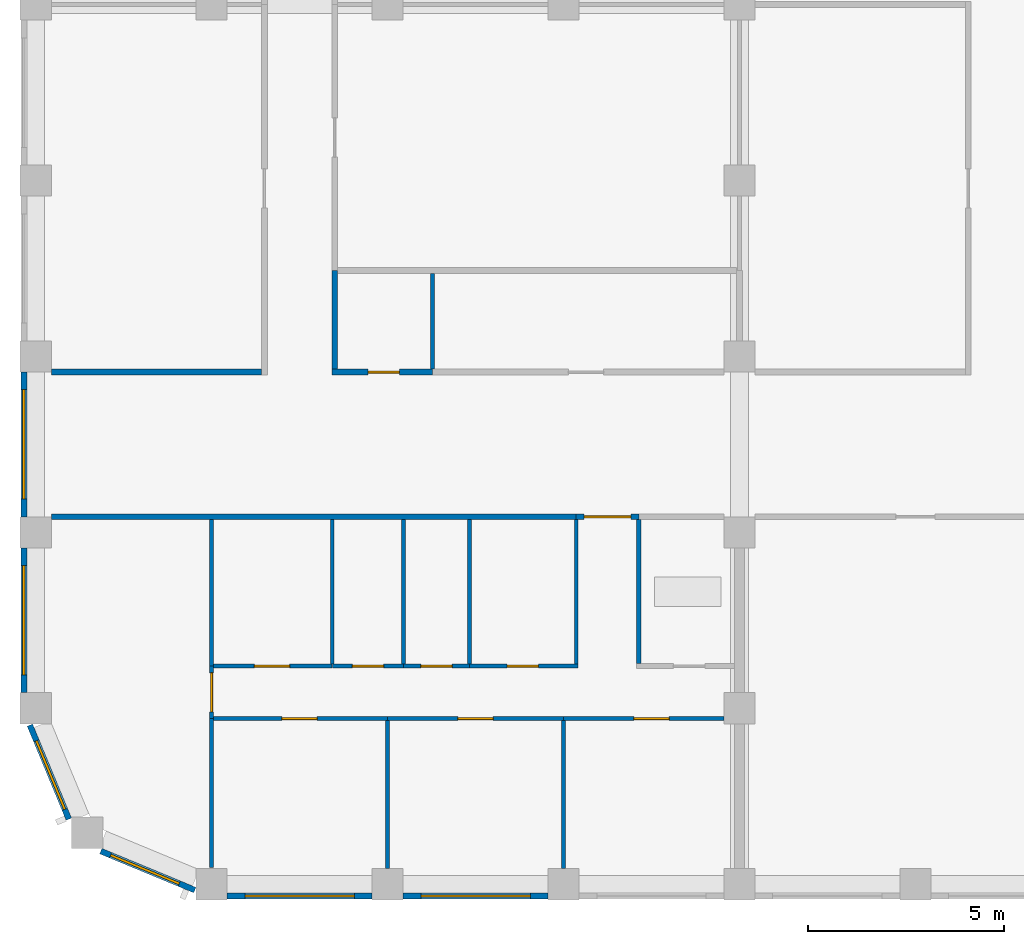
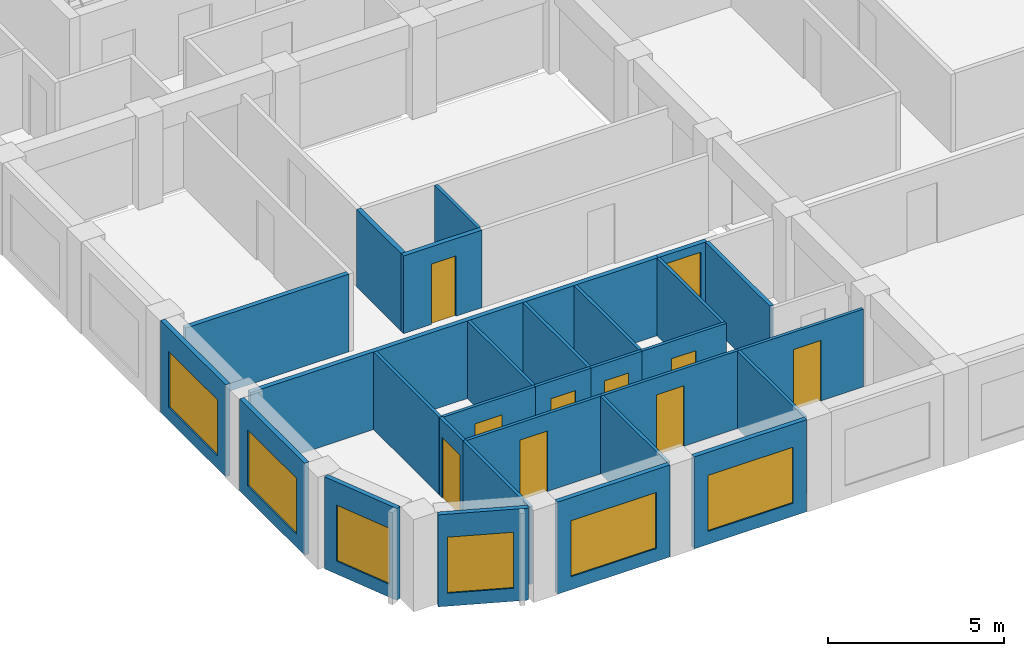
# One storey, part 2 of 9: 29 walls, 10 doors, 6 windows, 16 openings.
"""IFC4 building model written with IfcOpenShell, lengths in metres."""

from ifc_helpers import new_model, si_unit, direction, frame, frame_2d, origin, place, context, subcontext, project, spatial, rectangle, extrude, material, layer, layer_set, type_object, element, fill, save


model = new_model("IFC4")

# Units and contexts
model_context = context("Model", 3, precision=1e-05, world=origin(), true_north=direction((0.0, 1.0)))
body_context = subcontext(model_context, "Body", "Model", "MODEL_VIEW")
ifc_project = project(units=[si_unit("LENGTHUNIT", "METRE"), si_unit("AREAUNIT", "SQUARE_METRE"), si_unit("VOLUMEUNIT", "CUBIC_METRE"), si_unit("PLANEANGLEUNIT", "RADIAN"), si_unit("MASSUNIT", "GRAM", prefix="KILO")], contexts=[model_context])

# Site, building, storey
site_placement = place(None, origin())
site = spatial("IfcSite", under=ifc_project, at=site_placement, CompositionType="ELEMENT")
building_placement = place(site_placement, origin())
building = spatial("IfcBuilding", under=site, at=building_placement, Name="Girih Gate Residences", CompositionType="ELEMENT")
storey_placement = place(building_placement, frame((0.0, 0.0, 198.699951171875)))
storey = spatial("IfcBuildingStorey", under=building, at=storey_placement, Name="L55", CompositionType="ELEMENT", Elevation=198.699951171875)

# Wall, opening, door
ifc_material_1 = material(Name="Gypsum board on steel studs", Category="steel")
ifc_layer_1 = layer(ifc_material_1, 0.14990234375)
ifc_layer_set_1 = layer_set([ifc_layer_1], Name="Compartment wall 150 mm")
wall_type_1 = type_object("IfcWallType", Name="Compartment wall 150 mm", PredefinedType="PARTITIONING", material=ifc_layer_set_1)
wall_1_placement = place(storey_placement, frame((15.425048828125, 9.39990234375, 0.0), z_axis=(0.0, 0.0, 1.0), x_axis=(-1.0, 0.0, 0.0)))
wall_1 = element("IfcWall", 1, at=wall_1_placement, inside=storey, type_object=wall_type_1, Name="L55 partition", PredefinedType="PARTITIONING", context=body_context, shape_type="SweptSolid", body=[
    extrude(rectangle(XDim=1.60009765625, YDim=0.14990234375, at=frame_2d((0.800048828125, 0.0))), origin(), (0.0, 0.0, 1.0), 2.699951171875),
])
opening_1_placement = place(wall_1_placement, frame((0.199951171875, 0.0, 0.0)))
opening_1 = element("IfcOpeningElement", 2, at=opening_1_placement, cuts=wall_1, Name="Opening A55-010", PredefinedType="OPENING", context=body_context, shape_type="SweptSolid", body=[
    extrude(rectangle(XDim=1.199951171875, YDim=2.39990234375, at=frame_2d((0.60009765625, 1.199951171875))), frame((0.0, 0.0849609375, 0.0), z_axis=(0.0, -1.0, 0.0), x_axis=(1.0, 0.0, 0.0)), (0.0, 0.0, 1.0), 0.169921875),
])
ifc_material_2 = material(Name="Timber, fire-rated core", Category="wood")
door_type_1 = type_object("IfcDoorType", Name="Villa entrance door 1200x2400 FD30S", OperationType="NOTDEFINED", PredefinedType="DOOR", material=ifc_material_2)
door_1_placement = place(opening_1_placement, origin())
door_1 = element("IfcDoor", 3, at=door_1_placement, inside=storey, type_object=door_type_1, Name="Door A55-010", OperationType="SINGLE_SWING_LEFT", OverallHeight=2.39990234375, OverallWidth=1.199951171875, PredefinedType="DOOR", context=body_context, shape_type="SweptSolid", body=[
    extrude(rectangle(XDim=1.199951171875, YDim=2.39990234375, at=frame_2d((0.60009765625, 1.199951171875))), frame((0.0, 0.02490234375, 0.0), z_axis=(0.0, -1.0, 0.0), x_axis=(1.0, 0.0, 0.0)), (0.0, 0.0, 1.0), 0.050048828125),
])
fill(opening_1, door_1)

# Wall
wall_2_placement = place(storey_placement, frame((0.39990234375, 9.39990234375, 0.0), z_axis=(0.0, 0.0, 1.0), x_axis=(1.0, 0.0, 0.0)))
element("IfcWall", 4, at=wall_2_placement, inside=storey, type_object=wall_type_1, Name="L55 partition", PredefinedType="PARTITIONING", context=body_context, shape_type="SweptSolid", body=[
    extrude(rectangle(XDim=13.425048828125, YDim=0.14990234375, at=frame_2d((6.71240234375, 0.0))), origin(), (0.0, 0.0, 1.0), 2.699951171875),
])

# Wall, opening, door
wall_3_placement = place(storey_placement, frame((7.574951171875, 13.10009765625, 0.0), z_axis=(0.0, 0.0, 1.0), x_axis=(1.0, 0.0, 0.0)))
wall_3 = element("IfcWall", 5, at=wall_3_placement, inside=storey, type_object=wall_type_1, Name="L55 partition", PredefinedType="PARTITIONING", context=body_context, shape_type="SweptSolid", body=[
    extrude(rectangle(XDim=2.574951171875, YDim=0.14990234375, at=frame_2d((1.28759765625, 0.0))), origin(), (0.0, 0.0, 1.0), 2.699951171875),
])
opening_2_placement = place(wall_3_placement, frame((0.925048828125, 0.0, 0.0)))
opening_2 = element("IfcOpeningElement", 6, at=opening_2_placement, cuts=wall_3, Name="Opening A55-025", PredefinedType="OPENING", context=body_context, shape_type="SweptSolid", body=[
    extrude(rectangle(XDim=0.800048828125, YDim=2.10009765625, at=frame_2d((0.39990234375, 1.050048828125))), frame((0.0, 0.0849609375, 0.0), z_axis=(0.0, -1.0, 0.0), x_axis=(1.0, 0.0, 0.0)), (0.0, 0.0, 1.0), 0.169921875),
])
ifc_material_3 = material(Name="Timber", Category="wood")
door_type_2 = type_object("IfcDoorType", Name="Bathroom door 800x2100", OperationType="NOTDEFINED", PredefinedType="DOOR", material=ifc_material_3)
door_2_placement = place(opening_2_placement, origin())
door_2 = element("IfcDoor", 7, at=door_2_placement, inside=storey, type_object=door_type_2, Name="Door A55-025", OperationType="SINGLE_SWING_RIGHT", OverallHeight=2.10009765625, OverallWidth=0.800048828125, PredefinedType="DOOR", context=body_context, shape_type="SweptSolid", body=[
    extrude(rectangle(XDim=0.800048828125, YDim=2.10009765625, at=frame_2d((0.39990234375, 1.050048828125))), frame((0.0, 0.02490234375, 0.0), z_axis=(0.0, -1.0, 0.0), x_axis=(1.0, 0.0, 0.0)), (0.0, 0.0, 1.0), 0.050048828125),
])
fill(opening_2, door_2)

# Walls
wall_4_placement = place(storey_placement, frame((0.39990234375, 13.10009765625, 0.0), z_axis=(0.0, 0.0, 1.0), x_axis=(1.0, 0.0, 0.0)))
element("IfcWall", 8, at=wall_4_placement, inside=storey, type_object=wall_type_1, Name="L55 partition", PredefinedType="PARTITIONING", context=body_context, shape_type="SweptSolid", body=[
    extrude(rectangle(XDim=5.375, YDim=0.14990234375, at=frame_2d((2.6875, 0.0))), origin(), (0.0, 0.0, 1.0), 2.699951171875),
])
wall_5_placement = place(storey_placement, frame((7.64990234375, 13.175048828125, 0.0), z_axis=(0.0, 0.0, 1.0), x_axis=(0.0, 1.0, 0.0)))
element("IfcWall", 9, at=wall_5_placement, inside=storey, type_object=wall_type_1, Name="L55 partition", PredefinedType="PARTITIONING", context=body_context, shape_type="SweptSolid", body=[
    extrude(rectangle(XDim=2.52490234375, YDim=0.14990234375, at=frame_2d((1.262451171875, 0.0))), origin(), (0.0, 0.0, 1.0), 2.699951171875),
])
ifc_layer_2 = layer(ifc_material_1, 0.10009765625)
ifc_layer_set_2 = layer_set([ifc_layer_2], Name="Partition 100 mm")
wall_type_2 = type_object("IfcWallType", Name="Partition 100 mm", PredefinedType="PARTITIONING", material=ifc_layer_set_2)
wall_6_placement = place(storey_placement, frame((9.0, 0.39990234375, 0.0), z_axis=(0.0, 0.0, 1.0), x_axis=(0.0, 1.0, 0.0)))
element("IfcWall", 10, at=wall_6_placement, inside=storey, type_object=wall_type_2, Name="L55 partition", PredefinedType="PARTITIONING", context=body_context, shape_type="SweptSolid", body=[
    extrude(rectangle(XDim=3.7900390625, YDim=0.10009765625, at=frame_2d((1.89501953125, 0.0))), origin(), (0.0, 0.0, 1.0), 2.699951171875),
])

# Wall, opening, door
wall_7_placement = place(storey_placement, frame((9.0, 4.239990234375, 0.0), z_axis=(0.0, 0.0, 1.0), x_axis=(-1.0, 0.0, 0.0)))
wall_7 = element("IfcWall", 11, at=wall_7_placement, inside=storey, type_object=wall_type_2, Name="L55 partition", PredefinedType="PARTITIONING", context=body_context, shape_type="SweptSolid", body=[
    extrude(rectangle(XDim=4.449951171875, YDim=0.10009765625, at=frame_2d((2.22509765625, 0.0))), origin(), (0.0, 0.0, 1.0), 2.699951171875),
])
opening_3_placement = place(wall_7_placement, frame((1.800048828125, 0.0, 0.0)))
opening_3 = element("IfcOpeningElement", 12, at=opening_3_placement, cuts=wall_7, Name="Opening A55-002", PredefinedType="OPENING", context=body_context, shape_type="SweptSolid", body=[
    extrude(rectangle(XDim=0.89990234375, YDim=2.10009765625, at=frame_2d((0.449951171875, 1.050048828125))), frame((0.0, 0.06005859375, 0.0), z_axis=(0.0, -1.0, 0.0), x_axis=(1.0, 0.0, 0.0)), (0.0, 0.0, 1.0), 0.1201171875),
])
door_type_3 = type_object("IfcDoorType", Name="Bedroom door 900x2100", OperationType="NOTDEFINED", PredefinedType="DOOR", material=ifc_material_3)
door_3_placement = place(opening_3_placement, origin())
door_3 = element("IfcDoor", 13, at=door_3_placement, inside=storey, type_object=door_type_3, Name="Door A55-002", OperationType="SINGLE_SWING_RIGHT", OverallHeight=2.10009765625, OverallWidth=0.89990234375, PredefinedType="DOOR", context=body_context, shape_type="SweptSolid", body=[
    extrude(rectangle(XDim=0.89990234375, YDim=2.10009765625, at=frame_2d((0.449951171875, 1.050048828125))), frame((0.0, 0.02490234375, 0.0), z_axis=(0.0, -1.0, 0.0), x_axis=(1.0, 0.0, 0.0)), (0.0, 0.0, 1.0), 0.050048828125),
])
fill(opening_3, door_3)

# Walls
wall_8_placement = place(storey_placement, frame((4.5, 0.432861328125, 0.0), z_axis=(0.0, 0.0, 1.0), x_axis=(0.0, 1.0, 0.0)))
element("IfcWall", 14, at=wall_8_placement, inside=storey, type_object=wall_type_2, Name="L55 partition", PredefinedType="PARTITIONING", context=body_context, shape_type="SweptSolid", body=[
    extrude(rectangle(XDim=3.80712890625, YDim=0.10009765625, at=frame_2d((1.903564453125, 0.0))), origin(), (0.0, 0.0, 1.0), 2.699951171875),
])
wall_9_placement = place(storey_placement, frame((13.5, 0.39990234375, 0.0), z_axis=(0.0, 0.0, 1.0), x_axis=(0.0, 1.0, 0.0)))
element("IfcWall", 15, at=wall_9_placement, inside=storey, type_object=wall_type_2, Name="L55 partition", PredefinedType="PARTITIONING", context=body_context, shape_type="SweptSolid", body=[
    extrude(rectangle(XDim=3.7900390625, YDim=0.10009765625, at=frame_2d((1.89501953125, 0.0))), origin(), (0.0, 0.0, 1.0), 2.699951171875),
])

# Wall, opening, door
wall_10_placement = place(storey_placement, frame((13.5, 4.239990234375, 0.0), z_axis=(0.0, 0.0, 1.0), x_axis=(-1.0, 0.0, 0.0)))
wall_10 = element("IfcWall", 16, at=wall_10_placement, inside=storey, type_object=wall_type_2, Name="L55 partition", PredefinedType="PARTITIONING", context=body_context, shape_type="SweptSolid", body=[
    extrude(rectangle(XDim=4.5, YDim=0.10009765625, at=frame_2d((2.25, 0.0))), origin(), (0.0, 0.0, 1.0), 2.699951171875),
])
opening_4_placement = place(wall_10_placement, frame((1.800048828125, 0.0, 0.0)))
opening_4 = element("IfcOpeningElement", 17, at=opening_4_placement, cuts=wall_10, Name="Opening A55-003", PredefinedType="OPENING", context=body_context, shape_type="SweptSolid", body=[
    extrude(rectangle(XDim=0.89990234375, YDim=2.10009765625, at=frame_2d((0.449951171875, 1.050048828125))), frame((0.0, 0.06005859375, 0.0), z_axis=(0.0, -1.0, 0.0), x_axis=(1.0, 0.0, 0.0)), (0.0, 0.0, 1.0), 0.1201171875),
])
door_4_placement = place(opening_4_placement, origin())
door_4 = element("IfcDoor", 18, at=door_4_placement, inside=storey, type_object=door_type_3, Name="Door A55-003", OperationType="SINGLE_SWING_LEFT", OverallHeight=2.10009765625, OverallWidth=0.89990234375, PredefinedType="DOOR", context=body_context, shape_type="SweptSolid", body=[
    extrude(rectangle(XDim=0.89990234375, YDim=2.10009765625, at=frame_2d((0.449951171875, 1.050048828125))), frame((0.0, 0.02490234375, 0.0), z_axis=(0.0, -1.0, 0.0), x_axis=(1.0, 0.0, 0.0)), (0.0, 0.0, 1.0), 0.050048828125),
])
fill(opening_4, door_4)

wall_11_placement = place(storey_placement, frame((17.60009765625, 4.239990234375, 0.0), z_axis=(0.0, 0.0, 1.0), x_axis=(-1.0, 0.0, 0.0)))
wall_11 = element("IfcWall", 19, at=wall_11_placement, inside=storey, type_object=wall_type_2, Name="L55 partition", PredefinedType="PARTITIONING", context=body_context, shape_type="SweptSolid", body=[
    extrude(rectangle(XDim=4.10009765625, YDim=0.10009765625, at=frame_2d((2.050048828125, 0.0))), origin(), (0.0, 0.0, 1.0), 2.699951171875),
])
opening_5_placement = place(wall_11_placement, frame((1.39990234375, 0.0, 0.0)))
opening_5 = element("IfcOpeningElement", 20, at=opening_5_placement, cuts=wall_11, Name="Opening A55-004", PredefinedType="OPENING", context=body_context, shape_type="SweptSolid", body=[
    extrude(rectangle(XDim=0.89990234375, YDim=2.10009765625, at=frame_2d((0.449951171875, 1.050048828125))), frame((0.0, 0.06005859375, 0.0), z_axis=(0.0, -1.0, 0.0), x_axis=(1.0, 0.0, 0.0)), (0.0, 0.0, 1.0), 0.1201171875),
])
door_5_placement = place(opening_5_placement, origin())
door_5 = element("IfcDoor", 21, at=door_5_placement, inside=storey, type_object=door_type_3, Name="Door A55-004", OperationType="SINGLE_SWING_LEFT", OverallHeight=2.10009765625, OverallWidth=0.89990234375, PredefinedType="DOOR", context=body_context, shape_type="SweptSolid", body=[
    extrude(rectangle(XDim=0.89990234375, YDim=2.10009765625, at=frame_2d((0.449951171875, 1.050048828125))), frame((0.0, 0.02490234375, 0.0), z_axis=(0.0, -1.0, 0.0), x_axis=(1.0, 0.0, 0.0)), (0.0, 0.0, 1.0), 0.050048828125),
])
fill(opening_5, door_5)

# Wall
wall_12_placement = place(storey_placement, frame((13.824951171875, 5.6298828125, 0.0), z_axis=(0.0, 0.0, 1.0), x_axis=(0.0, 1.0, 0.0)))
element("IfcWall", 22, at=wall_12_placement, inside=storey, type_object=wall_type_2, Name="L55 partition", PredefinedType="PARTITIONING", context=body_context, shape_type="SweptSolid", body=[
    extrude(rectangle(XDim=3.695068359375, YDim=0.10009765625, at=frame_2d((1.84765625, 0.0))), origin(), (0.0, 0.0, 1.0), 2.699951171875),
])

# Wall, opening, door
wall_13_placement = place(storey_placement, frame((11.093994140625, 5.580078125, 0.0), z_axis=(0.0, 0.0, 1.0), x_axis=(1.0, 0.0, 0.0)))
wall_13 = element("IfcWall", 23, at=wall_13_placement, inside=storey, type_object=wall_type_2, Name="L55 partition", PredefinedType="PARTITIONING", context=body_context, shape_type="SweptSolid", body=[
    extrude(rectangle(XDim=2.781005859375, YDim=0.10009765625, at=frame_2d((1.390625, 0.0))), origin(), (0.0, 0.0, 1.0), 2.699951171875),
])
opening_6_placement = place(wall_13_placement, frame((0.965576171875, 0.0, 0.0)))
opening_6 = element("IfcOpeningElement", 24, at=opening_6_placement, cuts=wall_13, Name="Opening A55-005", PredefinedType="OPENING", context=body_context, shape_type="SweptSolid", body=[
    extrude(rectangle(XDim=0.800048828125, YDim=2.10009765625, at=frame_2d((0.39990234375, 1.050048828125))), frame((0.0, 0.06005859375, 0.0), z_axis=(0.0, -1.0, 0.0), x_axis=(1.0, 0.0, 0.0)), (0.0, 0.0, 1.0), 0.1201171875),
])
door_type_4 = type_object("IfcDoorType", Name="Store door 800x2100", OperationType="NOTDEFINED", PredefinedType="DOOR", material=ifc_material_3)
door_6_placement = place(opening_6_placement, origin())
door_6 = element("IfcDoor", 25, at=door_6_placement, inside=storey, type_object=door_type_4, Name="Door A55-005", OperationType="SINGLE_SWING_LEFT", OverallHeight=2.10009765625, OverallWidth=0.800048828125, PredefinedType="DOOR", context=body_context, shape_type="SweptSolid", body=[
    extrude(rectangle(XDim=0.800048828125, YDim=2.10009765625, at=frame_2d((0.39990234375, 1.050048828125))), frame((0.0, 0.02490234375, 0.0), z_axis=(0.0, -1.0, 0.0), x_axis=(1.0, 0.0, 0.0)), (0.0, 0.0, 1.0), 0.050048828125),
])
fill(opening_6, door_6)

# Wall
wall_14_placement = place(storey_placement, frame((11.093994140625, 5.6298828125, 0.0), z_axis=(0.0, 0.0, 1.0), x_axis=(0.0, 1.0, 0.0)))
element("IfcWall", 26, at=wall_14_placement, inside=storey, type_object=wall_type_2, Name="L55 partition", PredefinedType="PARTITIONING", context=body_context, shape_type="SweptSolid", body=[
    extrude(rectangle(XDim=3.695068359375, YDim=0.10009765625, at=frame_2d((1.84765625, 0.0))), origin(), (0.0, 0.0, 1.0), 2.699951171875),
])

# Wall, opening, door
wall_15_placement = place(storey_placement, frame((4.550048828125, 5.580078125, 0.0), z_axis=(0.0, 0.0, 1.0), x_axis=(1.0, 0.0, 0.0)))
wall_15 = element("IfcWall", 27, at=wall_15_placement, inside=storey, type_object=wall_type_2, Name="L55 partition", PredefinedType="PARTITIONING", context=body_context, shape_type="SweptSolid", body=[
    extrude(rectangle(XDim=3.035400390625, YDim=0.10009765625, at=frame_2d((1.517578125, 0.0))), origin(), (0.0, 0.0, 1.0), 2.699951171875),
])
opening_7_placement = place(wall_15_placement, frame((1.042724609375, 0.0, 0.0)))
opening_7 = element("IfcOpeningElement", 28, at=opening_7_placement, cuts=wall_15, Name="Opening A55-006", PredefinedType="OPENING", context=body_context, shape_type="SweptSolid", body=[
    extrude(rectangle(XDim=0.89990234375, YDim=2.10009765625, at=frame_2d((0.449951171875, 1.050048828125))), frame((0.0, 0.06005859375, 0.0), z_axis=(0.0, -1.0, 0.0), x_axis=(1.0, 0.0, 0.0)), (0.0, 0.0, 1.0), 0.1201171875),
])
door_type_5 = type_object("IfcDoorType", Name="Kitchen door 900x2100", OperationType="NOTDEFINED", PredefinedType="DOOR", material=ifc_material_3)
door_7_placement = place(opening_7_placement, origin())
door_7 = element("IfcDoor", 29, at=door_7_placement, inside=storey, type_object=door_type_5, Name="Door A55-006", OperationType="SINGLE_SWING_LEFT", OverallHeight=2.10009765625, OverallWidth=0.89990234375, PredefinedType="DOOR", context=body_context, shape_type="SweptSolid", body=[
    extrude(rectangle(XDim=0.89990234375, YDim=2.10009765625, at=frame_2d((0.449951171875, 1.050048828125))), frame((0.0, 0.02490234375, 0.0), z_axis=(0.0, -1.0, 0.0), x_axis=(1.0, 0.0, 0.0)), (0.0, 0.0, 1.0), 0.050048828125),
])
fill(opening_7, door_7)

wall_16_placement = place(storey_placement, frame((4.5, 4.239990234375, 0.0), z_axis=(0.0, 0.0, 1.0), x_axis=(0.0, 1.0, 0.0)))
wall_16 = element("IfcWall", 30, at=wall_16_placement, inside=storey, type_object=wall_type_2, Name="L55 partition", PredefinedType="PARTITIONING", context=body_context, shape_type="SweptSolid", body=[
    extrude(rectangle(XDim=1.340087890625, YDim=0.10009765625, at=frame_2d((0.669921875, 0.0))), origin(), (0.0, 0.0, 1.0), 2.699951171875),
])
opening_8_placement = place(wall_16_placement, frame((0.169921875, 0.0, 0.0)))
opening_8 = element("IfcOpeningElement", 31, at=opening_8_placement, cuts=wall_16, Name="Opening A55-007", PredefinedType="OPENING", context=body_context, shape_type="SweptSolid", body=[
    extrude(rectangle(XDim=1.0, YDim=2.10009765625, at=frame_2d((0.5, 1.050048828125))), frame((0.0, 0.06005859375, 0.0), z_axis=(0.0, -1.0, 0.0), x_axis=(1.0, 0.0, 0.0)), (0.0, 0.0, 1.0), 0.1201171875),
])
door_type_6 = type_object("IfcDoorType", Name="Living room door 1000x2100", OperationType="NOTDEFINED", PredefinedType="DOOR", material=ifc_material_3)
door_8_placement = place(opening_8_placement, origin())
door_8 = element("IfcDoor", 32, at=door_8_placement, inside=storey, type_object=door_type_6, Name="Door A55-007", OperationType="SINGLE_SWING_RIGHT", OverallHeight=2.10009765625, OverallWidth=1.0, PredefinedType="DOOR", context=body_context, shape_type="SweptSolid", body=[
    extrude(rectangle(XDim=1.0, YDim=2.10009765625, at=frame_2d((0.5, 1.050048828125))), frame((0.0, 0.02490234375, 0.0), z_axis=(0.0, -1.0, 0.0), x_axis=(1.0, 0.0, 0.0)), (0.0, 0.0, 1.0), 0.050048828125),
])
fill(opening_8, door_8)

wall_17_placement = place(storey_placement, frame((9.412353515625, 5.580078125, 0.0), z_axis=(0.0, 0.0, 1.0), x_axis=(1.0, 0.0, 0.0)))
wall_17 = element("IfcWall", 33, at=wall_17_placement, inside=storey, type_object=wall_type_2, Name="L55 partition", PredefinedType="PARTITIONING", context=body_context, shape_type="SweptSolid", body=[
    extrude(rectangle(XDim=1.681640625, YDim=0.10009765625, at=frame_2d((0.8408203125, 0.0))), origin(), (0.0, 0.0, 1.0), 2.699951171875),
])
opening_9_placement = place(wall_17_placement, frame((0.44091796875, 0.0, 0.0)))
opening_9 = element("IfcOpeningElement", 34, at=opening_9_placement, cuts=wall_17, Name="Opening A55-008", PredefinedType="OPENING", context=body_context, shape_type="SweptSolid", body=[
    extrude(rectangle(XDim=0.800048828125, YDim=2.10009765625, at=frame_2d((0.39990234375, 1.050048828125))), frame((0.0, 0.06005859375, 0.0), z_axis=(0.0, -1.0, 0.0), x_axis=(1.0, 0.0, 0.0)), (0.0, 0.0, 1.0), 0.1201171875),
])
door_9_placement = place(opening_9_placement, origin())
door_9 = element("IfcDoor", 35, at=door_9_placement, inside=storey, type_object=door_type_4, Name="Door A55-008", OperationType="SINGLE_SWING_LEFT", OverallHeight=2.10009765625, OverallWidth=0.800048828125, PredefinedType="DOOR", context=body_context, shape_type="SweptSolid", body=[
    extrude(rectangle(XDim=0.800048828125, YDim=2.10009765625, at=frame_2d((0.39990234375, 1.050048828125))), frame((0.0, 0.02490234375, 0.0), z_axis=(0.0, -1.0, 0.0), x_axis=(1.0, 0.0, 0.0)), (0.0, 0.0, 1.0), 0.050048828125),
])
fill(opening_9, door_9)

wall_18_placement = place(storey_placement, frame((7.58544921875, 5.580078125, 0.0), z_axis=(0.0, 0.0, 1.0), x_axis=(1.0, 0.0, 0.0)))
wall_18 = element("IfcWall", 36, at=wall_18_placement, inside=storey, type_object=wall_type_2, Name="L55 partition", PredefinedType="PARTITIONING", context=body_context, shape_type="SweptSolid", body=[
    extrude(rectangle(XDim=1.826904296875, YDim=0.10009765625, at=frame_2d((0.91357421875, 0.0))), origin(), (0.0, 0.0, 1.0), 2.699951171875),
])
opening_10_placement = place(wall_18_placement, frame((0.513427734375, 0.0, 0.0)))
opening_10 = element("IfcOpeningElement", 37, at=opening_10_placement, cuts=wall_18, Name="Opening A55-009", PredefinedType="OPENING", context=body_context, shape_type="SweptSolid", body=[
    extrude(rectangle(XDim=0.800048828125, YDim=2.10009765625, at=frame_2d((0.39990234375, 1.050048828125))), frame((0.0, 0.06005859375, 0.0), z_axis=(0.0, -1.0, 0.0), x_axis=(1.0, 0.0, 0.0)), (0.0, 0.0, 1.0), 0.1201171875),
])
door_10_placement = place(opening_10_placement, origin())
door_10 = element("IfcDoor", 38, at=door_10_placement, inside=storey, type_object=door_type_4, Name="Door A55-009", OperationType="SINGLE_SWING_LEFT", OverallHeight=2.10009765625, OverallWidth=0.800048828125, PredefinedType="DOOR", context=body_context, shape_type="SweptSolid", body=[
    extrude(rectangle(XDim=0.800048828125, YDim=2.10009765625, at=frame_2d((0.39990234375, 1.050048828125))), frame((0.0, 0.02490234375, 0.0), z_axis=(0.0, -1.0, 0.0), x_axis=(1.0, 0.0, 0.0)), (0.0, 0.0, 1.0), 0.050048828125),
])
fill(opening_10, door_10)

# Walls
wall_19_placement = place(storey_placement, frame((4.5, 5.580078125, 0.0), z_axis=(0.0, 0.0, 1.0), x_axis=(0.0, 1.0, 0.0)))
element("IfcWall", 39, at=wall_19_placement, inside=storey, type_object=wall_type_2, Name="L55 partition", PredefinedType="PARTITIONING", context=body_context, shape_type="SweptSolid", body=[
    extrude(rectangle(XDim=3.744873046875, YDim=0.10009765625, at=frame_2d((1.87255859375, 0.0))), origin(), (0.0, 0.0, 1.0), 2.699951171875),
])
for number, where, z_axis, x_axis, name in (
    (40, (7.5849609375, 5.6298828125, 0.0), (0.0, 0.0, 1.0), (0.0, 1.0, 0.0), "L55 partition"),
    (41, (9.412109375, 5.6298828125, 0.0), (0.0, 0.0, 1.0), (0.0, 1.0, 0.0), "L55 partition"),
):
    element("IfcWall", number, at=place(storey_placement, frame(where, z_axis=z_axis, x_axis=x_axis)), inside=storey, type_object=wall_type_2, Name=name, PredefinedType="PARTITIONING", context=body_context, shape_type="SweptSolid", body=[
        extrude(rectangle(XDim=3.695068359375, YDim=0.10009765625, at=frame_2d((1.84765625, 0.0))), origin(), (0.0, 0.0, 1.0), 2.699951171875),
    ])
wall_20_placement = place(storey_placement, frame((10.14990234375, 13.175048828125, 0.0), z_axis=(0.0, 0.0, 1.0), x_axis=(0.0, 1.0, 0.0)))
element("IfcWall", 42, at=wall_20_placement, inside=storey, type_object=wall_type_2, Name="L55 partition", PredefinedType="PARTITIONING", context=body_context, shape_type="SweptSolid", body=[
    extrude(rectangle(XDim=2.449951171875, YDim=0.10009765625, at=frame_2d((1.22509765625, 0.0))), origin(), (0.0, 0.0, 1.0), 2.699951171875),
])

# Wall, opening, window
ifc_material_4 = material(Name="Precast concrete C50/60", Category="concrete")
ifc_layer_3 = layer(ifc_material_4, 0.050048828125, Name="Outer leaf")
ifc_material_5 = material(Name="Rigid PIR insulation")
ifc_layer_4 = layer(ifc_material_5, 0.06005859375, Name="Insulation")
ifc_material_6 = material(Name="Precast concrete C40/50", Category="concrete")
ifc_layer_5 = layer(ifc_material_6, 0.0400390625, Name="Inner leaf")
ifc_layer_set_3 = layer_set([ifc_layer_3, ifc_layer_4, ifc_layer_5], Name="Precast concrete C50/60 external wall 150")
wall_type_3 = type_object("IfcWallType", Name="Precast concrete C50/60 external wall 150", PredefinedType="SOLIDWALL", material=ifc_layer_set_3)
wall_21_placement = place(storey_placement, frame((-0.300048828125, 9.39990234375, 0.0), z_axis=(0.0, 0.0, 1.0), x_axis=(0.0, 1.0, 0.0)))
wall_21 = element("IfcWall", 43, at=wall_21_placement, inside=storey, type_object=wall_type_3, Name="External wall W0000_0450.7", PredefinedType="SOLIDWALL", context=body_context, shape_type="SweptSolid", body=[
    extrude(rectangle(XDim=3.7001953125, YDim=0.14990234375, at=frame_2d((1.85009765625, 0.0))), origin(), (0.0, 0.0, 1.0), 3.199951171875),
])
opening_11_placement = place(wall_21_placement, frame((0.449951171875, 0.0, 0.449951171875)))
opening_11 = element("IfcOpeningElement", 44, at=opening_11_placement, cuts=wall_21, Name="Opening W-1B", PredefinedType="OPENING", context=body_context, shape_type="SweptSolid", body=[
    extrude(rectangle(XDim=2.800048828125, YDim=1.949951171875, at=frame_2d((1.39990234375, 0.97509765625))), frame((0.0, 0.0849609375, 0.0), z_axis=(0.0, -1.0, 0.0), x_axis=(1.0, 0.0, 0.0)), (0.0, 0.0, 1.0), 0.169921875),
])
ifc_material_7 = material(Name="Double glazing in aluminium frame", Category="aluminium")
window_type_1 = type_object("IfcWindowType", Name="Window W-1B 2800x1950", PartitioningType="SINGLE_PANEL", PredefinedType="WINDOW", material=ifc_material_7)
window_1_placement = place(opening_11_placement, origin())
window_1 = element("IfcWindow", 45, at=window_1_placement, inside=storey, type_object=window_type_1, Name="Window W-1B W0000_0450.7", OverallHeight=1.949951171875, OverallWidth=2.800048828125, PartitioningType="SINGLE_PANEL", PredefinedType="WINDOW", context=body_context, shape_type="SweptSolid", body=[
    extrude(rectangle(XDim=2.800048828125, YDim=1.949951171875, at=frame_2d((1.39990234375, 0.97509765625))), frame((0.0, 0.030029296875, 0.0), z_axis=(0.0, -1.0, 0.0), x_axis=(1.0, 0.0, 0.0)), (0.0, 0.0, 1.0), 0.06005859375),
])
fill(opening_11, window_1)

wall_22_placement = place(storey_placement, frame((-0.300048828125, 4.89990234375, 0.0), z_axis=(0.0, 0.0, 1.0), x_axis=(0.0, 1.0, 0.0)))
wall_22 = element("IfcWall", 46, at=wall_22_placement, inside=storey, type_object=wall_type_3, Name="External wall W0000_0450.8", PredefinedType="SOLIDWALL", context=body_context, shape_type="SweptSolid", body=[
    extrude(rectangle(XDim=3.7001953125, YDim=0.14990234375, at=frame_2d((1.85009765625, 0.0))), origin(), (0.0, 0.0, 1.0), 3.199951171875),
])
opening_12_placement = place(wall_22_placement, frame((0.449951171875, 0.0, 0.449951171875)))
opening_12 = element("IfcOpeningElement", 47, at=opening_12_placement, cuts=wall_22, Name="Opening W-1B", PredefinedType="OPENING", context=body_context, shape_type="SweptSolid", body=[
    extrude(rectangle(XDim=2.800048828125, YDim=1.949951171875, at=frame_2d((1.39990234375, 0.97509765625))), frame((0.0, 0.0849609375, 0.0), z_axis=(0.0, -1.0, 0.0), x_axis=(1.0, 0.0, 0.0)), (0.0, 0.0, 1.0), 0.169921875),
])
window_2_placement = place(opening_12_placement, origin())
window_2 = element("IfcWindow", 48, at=window_2_placement, inside=storey, type_object=window_type_1, Name="Window W-1B W0000_0450.8", OverallHeight=1.949951171875, OverallWidth=2.800048828125, PartitioningType="SINGLE_PANEL", PredefinedType="WINDOW", context=body_context, shape_type="SweptSolid", body=[
    extrude(rectangle(XDim=2.800048828125, YDim=1.949951171875, at=frame_2d((1.39990234375, 0.97509765625))), frame((0.0, 0.030029296875, 0.0), z_axis=(0.0, -1.0, 0.0), x_axis=(1.0, 0.0, 0.0)), (0.0, 0.0, 1.0), 0.06005859375),
])
fill(opening_12, window_2)

wall_23_placement = place(storey_placement, frame((0.8486328125, 1.6669921875, 0.0), z_axis=(0.0, 0.0, 1.0), x_axis=(-0.382669406082, 0.923885342263, 0.0)))
wall_23 = element("IfcWall", 49, at=wall_23_placement, inside=storey, type_object=wall_type_3, Name="External wall SW0000_0045.0", PredefinedType="SOLIDWALL", context=body_context, shape_type="SweptSolid", body=[
    extrude(rectangle(XDim=2.602294921875, YDim=0.14990234375, at=frame_2d((1.30126953125, 0.0))), origin(), (0.0, 0.0, 1.0), 3.199951171875),
])
opening_13_placement = place(wall_23_placement, frame((0.27001953125, 0.0, 0.449951171875)))
opening_13 = element("IfcOpeningElement", 50, at=opening_13_placement, cuts=wall_23, Name="Opening W-2G", PredefinedType="OPENING", context=body_context, shape_type="SweptSolid", body=[
    extrude(rectangle(XDim=1.89990234375, YDim=1.949951171875, at=frame_2d((0.949951171875, 0.97509765625))), frame((0.0, 0.0849609375, 0.0), z_axis=(0.0, -1.0, 0.0), x_axis=(1.0, 0.0, 0.0)), (0.0, 0.0, 1.0), 0.169921875),
])
window_type_2 = type_object("IfcWindowType", Name="Window W-2G 1900x1950", PartitioningType="SINGLE_PANEL", PredefinedType="WINDOW", material=ifc_material_7)
window_3_placement = place(opening_13_placement, origin())
window_3 = element("IfcWindow", 51, at=window_3_placement, inside=storey, type_object=window_type_2, Name="Window W-2G SW0000_0045.0", OverallHeight=1.949951171875, OverallWidth=1.89990234375, PartitioningType="SINGLE_PANEL", PredefinedType="WINDOW", context=body_context, shape_type="SweptSolid", body=[
    extrude(rectangle(XDim=1.89990234375, YDim=1.949951171875, at=frame_2d((0.949951171875, 0.97509765625))), frame((0.0, 0.030029296875, 0.0), z_axis=(0.0, -1.0, 0.0), x_axis=(1.0, 0.0, 0.0)), (0.0, 0.0, 1.0), 0.06005859375),
])
fill(opening_13, window_3)

wall_24_placement = place(storey_placement, frame((4.0712890625, -0.147216796875, 0.0), z_axis=(0.0, 0.0, 1.0), x_axis=(-0.923885342263, 0.382669406082, 0.0)))
wall_24 = element("IfcWall", 52, at=wall_24_placement, inside=storey, type_object=wall_type_3, Name="External wall SW0013_0013.0", PredefinedType="SOLIDWALL", context=body_context, shape_type="SweptSolid", body=[
    extrude(rectangle(XDim=2.602294921875, YDim=0.14990234375, at=frame_2d((1.30126953125, 0.0))), origin(), (0.0, 0.0, 1.0), 3.199951171875),
])
opening_14_placement = place(wall_24_placement, frame((0.432373046875, 0.0, 0.449951171875)))
opening_14 = element("IfcOpeningElement", 53, at=opening_14_placement, cuts=wall_24, Name="Opening W-2G", PredefinedType="OPENING", context=body_context, shape_type="SweptSolid", body=[
    extrude(rectangle(XDim=1.89990234375, YDim=1.949951171875, at=frame_2d((0.949951171875, 0.97509765625))), frame((0.0, 0.0849609375, 0.0), z_axis=(0.0, -1.0, 0.0), x_axis=(1.0, 0.0, 0.0)), (0.0, 0.0, 1.0), 0.169921875),
])
window_4_placement = place(opening_14_placement, origin())
window_4 = element("IfcWindow", 54, at=window_4_placement, inside=storey, type_object=window_type_2, Name="Window W-2G SW0013_0013.0", OverallHeight=1.949951171875, OverallWidth=1.89990234375, PartitioningType="SINGLE_PANEL", PredefinedType="WINDOW", context=body_context, shape_type="SweptSolid", body=[
    extrude(rectangle(XDim=1.89990234375, YDim=1.949951171875, at=frame_2d((0.949951171875, 0.97509765625))), frame((0.0, 0.030029296875, 0.0), z_axis=(0.0, -1.0, 0.0), x_axis=(1.0, 0.0, 0.0)), (0.0, 0.0, 1.0), 0.06005859375),
])
fill(opening_14, window_4)

wall_25_placement = place(storey_placement, frame((8.60009765625, -0.300048828125, 0.0), z_axis=(0.0, 0.0, 1.0), x_axis=(-1.0, 0.0, 0.0)))
wall_25 = element("IfcWall", 55, at=wall_25_placement, inside=storey, type_object=wall_type_3, Name="External wall S0045_0000.0", PredefinedType="SOLIDWALL", context=body_context, shape_type="SweptSolid", body=[
    extrude(rectangle(XDim=3.7001953125, YDim=0.14990234375, at=frame_2d((1.85009765625, 0.0))), origin(), (0.0, 0.0, 1.0), 3.199951171875),
])
opening_15_placement = place(wall_25_placement, frame((0.449951171875, 0.0, 0.449951171875)))
opening_15 = element("IfcOpeningElement", 56, at=opening_15_placement, cuts=wall_25, Name="Opening W-1B", PredefinedType="OPENING", context=body_context, shape_type="SweptSolid", body=[
    extrude(rectangle(XDim=2.800048828125, YDim=1.949951171875, at=frame_2d((1.39990234375, 0.97509765625))), frame((0.0, 0.0849609375, 0.0), z_axis=(0.0, -1.0, 0.0), x_axis=(1.0, 0.0, 0.0)), (0.0, 0.0, 1.0), 0.169921875),
])
window_5_placement = place(opening_15_placement, origin())
window_5 = element("IfcWindow", 57, at=window_5_placement, inside=storey, type_object=window_type_1, Name="Window W-1B S0045_0000.0", OverallHeight=1.949951171875, OverallWidth=2.800048828125, PartitioningType="SINGLE_PANEL", PredefinedType="WINDOW", context=body_context, shape_type="SweptSolid", body=[
    extrude(rectangle(XDim=2.800048828125, YDim=1.949951171875, at=frame_2d((1.39990234375, 0.97509765625))), frame((0.0, 0.030029296875, 0.0), z_axis=(0.0, -1.0, 0.0), x_axis=(1.0, 0.0, 0.0)), (0.0, 0.0, 1.0), 0.06005859375),
])
fill(opening_15, window_5)

wall_26_placement = place(storey_placement, frame((13.10009765625, -0.300048828125, 0.0), z_axis=(0.0, 0.0, 1.0), x_axis=(-1.0, 0.0, 0.0)))
wall_26 = element("IfcWall", 58, at=wall_26_placement, inside=storey, type_object=wall_type_3, Name="External wall S0045_0000.1", PredefinedType="SOLIDWALL", context=body_context, shape_type="SweptSolid", body=[
    extrude(rectangle(XDim=3.7001953125, YDim=0.14990234375, at=frame_2d((1.85009765625, 0.0))), origin(), (0.0, 0.0, 1.0), 3.199951171875),
])
opening_16_placement = place(wall_26_placement, frame((0.449951171875, 0.0, 0.449951171875)))
opening_16 = element("IfcOpeningElement", 59, at=opening_16_placement, cuts=wall_26, Name="Opening W-1B", PredefinedType="OPENING", context=body_context, shape_type="SweptSolid", body=[
    extrude(rectangle(XDim=2.800048828125, YDim=1.949951171875, at=frame_2d((1.39990234375, 0.97509765625))), frame((0.0, 0.0849609375, 0.0), z_axis=(0.0, -1.0, 0.0), x_axis=(1.0, 0.0, 0.0)), (0.0, 0.0, 1.0), 0.169921875),
])
window_6_placement = place(opening_16_placement, origin())
window_6 = element("IfcWindow", 60, at=window_6_placement, inside=storey, type_object=window_type_1, Name="Window W-1B S0045_0000.1", OverallHeight=1.949951171875, OverallWidth=2.800048828125, PartitioningType="SINGLE_PANEL", PredefinedType="WINDOW", context=body_context, shape_type="SweptSolid", body=[
    extrude(rectangle(XDim=2.800048828125, YDim=1.949951171875, at=frame_2d((1.39990234375, 0.97509765625))), frame((0.0, 0.030029296875, 0.0), z_axis=(0.0, -1.0, 0.0), x_axis=(1.0, 0.0, 0.0)), (0.0, 0.0, 1.0), 0.06005859375),
])
fill(opening_16, window_6)

# Wall
ifc_layer_6 = layer(ifc_material_1, 0.125)
ifc_layer_set_4 = layer_set([ifc_layer_6], Name="Wet room wall 125 mm")
wall_type_4 = type_object("IfcWallType", Name="Wet room wall 125 mm", PredefinedType="PARTITIONING", material=ifc_layer_set_4)
wall_27_placement = place(storey_placement, frame((15.425048828125, 5.642578125, 0.0), z_axis=(0.0, 0.0, 1.0), x_axis=(0.0, 1.0, 0.0)))
element("IfcWall", 61, at=wall_27_placement, inside=storey, type_object=wall_type_4, Name="L55 partition", PredefinedType="PARTITIONING", context=body_context, shape_type="SweptSolid", body=[
    extrude(rectangle(XDim=3.682373046875, YDim=0.125, at=frame_2d((1.84130859375, 0.0))), origin(), (0.0, 0.0, 1.0), 2.699951171875),
])

save(model, "model.ifc")
